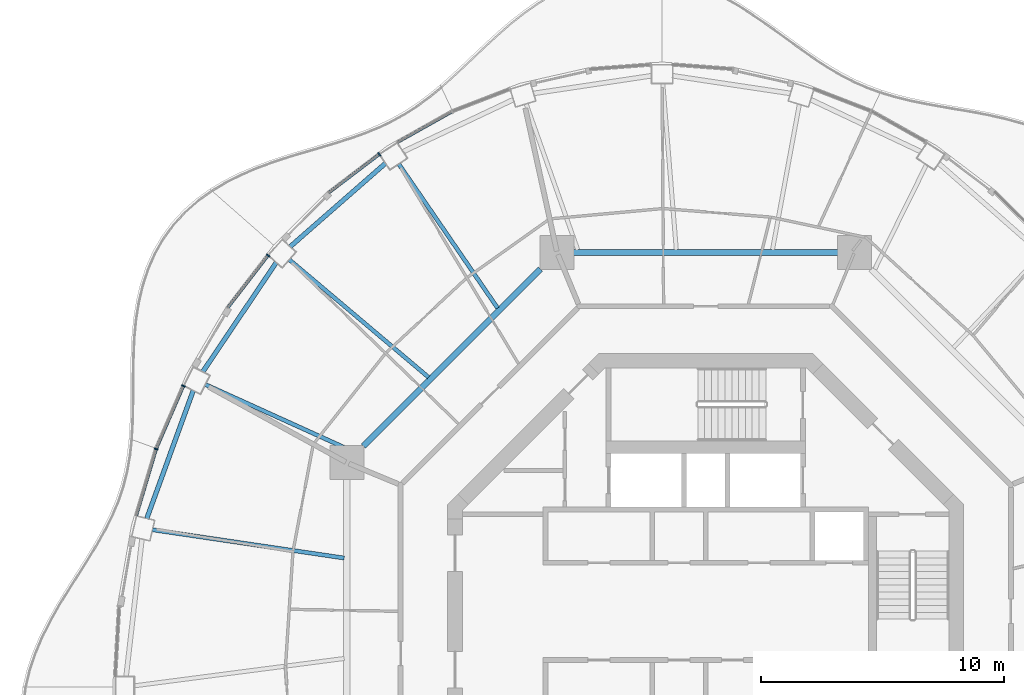
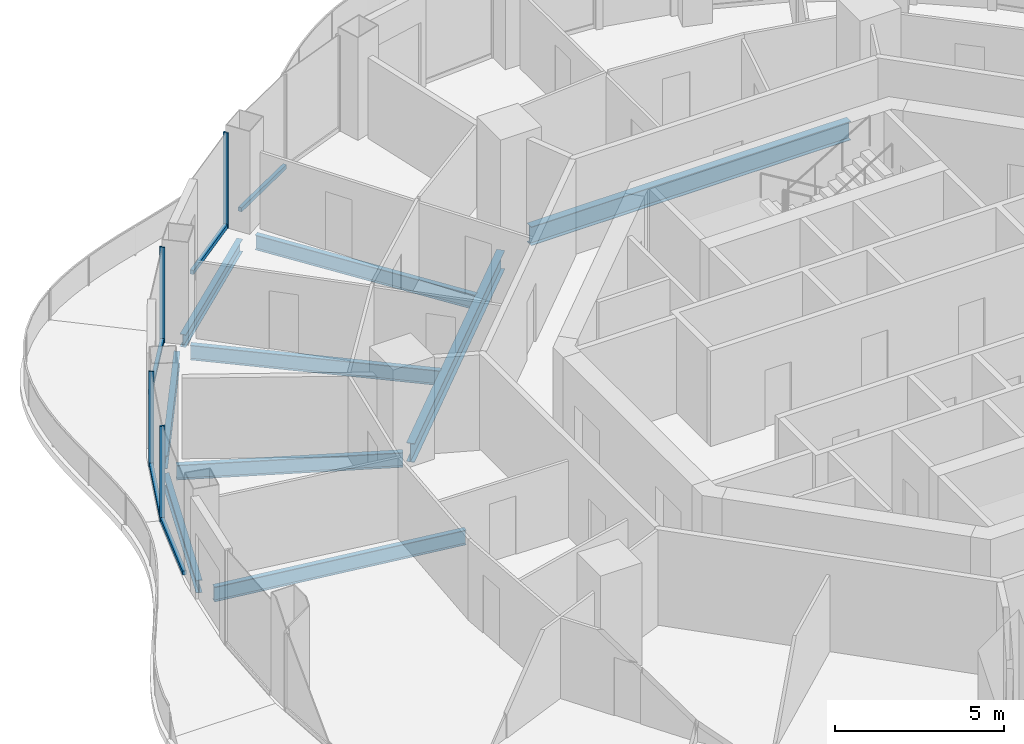
# One storey, part 5 of 17: 9 beams, 9 members, 5 elements without a shape of their own.
"""IFC4 building model written with IfcOpenShell, lengths in metres."""

from ifc_helpers import new_model, si_unit, direction, frame, origin, origin_2d, place, context, subcontext, project, spatial, rectangle, i_section, extrude, material, layer, layer_set, material_profile, profile_set, type_object, element, aggregate, save


model = new_model("IFC4")

# Units and contexts
model_context = context("Model", 3, precision=1e-05, world=origin(), true_north=direction((0.0, 1.0)))
body_context = subcontext(model_context, "Body", "Model", "MODEL_VIEW")
ifc_project = project(units=[si_unit("LENGTHUNIT", "METRE"), si_unit("AREAUNIT", "SQUARE_METRE"), si_unit("VOLUMEUNIT", "CUBIC_METRE"), si_unit("PLANEANGLEUNIT", "RADIAN"), si_unit("MASSUNIT", "GRAM", prefix="KILO")], contexts=[model_context])

# Site, building, storey
site_placement = place(None, origin())
site = spatial("IfcSite", under=ifc_project, at=site_placement, CompositionType="ELEMENT")
building_placement = place(site_placement, origin())
building = spatial("IfcBuilding", under=site, at=building_placement, Name="Nagisa Residences", CompositionType="ELEMENT")
storey_placement = place(building_placement, frame((0.0, 0.0, 277.0)))
storey = spatial("IfcBuildingStorey", under=building, at=storey_placement, Name="L70", CompositionType="ELEMENT", Elevation=277.0)

# Curtain wall, member
ifc_material_1 = material(Name="Concrete-coloured aluminium curtain wall system", Category="concrete")
ifc_layer = layer(ifc_material_1, 0.159912109375)
ifc_layer_set = layer_set([ifc_layer], Name="CW1 CURTAIN WALL")
curtain_wall_type = type_object("IfcCurtainWallType", Name="CW1 CURTAIN WALL", PredefinedType="NOTDEFINED", material=ifc_layer_set)
curtain_wall_1_placement = place(storey_placement, origin())
curtain_wall_1 = element("IfcCurtainWall", 1, at=curtain_wall_1_placement, inside=storey, type_object=curtain_wall_type, Name="cw:CW1:L70:16", PredefinedType="NOTDEFINED")
ifc_material_2 = material(Name="Concrete-coloured aluminium", Category="concrete")
ifc_material_profile_1 = material_profile(ifc_material_2, rectangle(XDim=0.159912109375, YDim=0.06005859375, at=origin_2d()), Name="CW1 MULLION 160x60")
ifc_profile_set_1 = profile_set([ifc_material_profile_1], Name="Concrete-coloured aluminium")
member_type_1 = type_object("IfcMemberType", Name="CW1 MULLION 160x60", PredefinedType="MULLION", material=ifc_profile_set_1)
member_1_placement = place(storey_placement, frame((-13.443603515625, 18.819580078125, 0.0), z_axis=(0.0, 0.0, 1.0), x_axis=(0.605255421737, -0.79603132756, 0.0)))
member_1 = element("IfcMember", 2, at=member_1_placement, type_object=member_type_1, Name="CW1 mullion", PredefinedType="MULLION", context=body_context, shape_type="SweptSolid", body=[
    extrude(rectangle(XDim=0.159912109375, YDim=0.06005859375, at=origin_2d()), origin(), (0.0, 0.0, 1.0), 3.43994140625),
])

curtain_wall_2_placement = place(storey_placement, origin())
curtain_wall_2 = element("IfcCurtainWall", 3, at=curtain_wall_2_placement, inside=storey, type_object=curtain_wall_type, Name="cw:CW1:L70:18", PredefinedType="NOTDEFINED")
member_2_placement = place(storey_placement, frame((-18.0244140625, 14.654296875, 0.0), z_axis=(0.0, 0.0, 1.0), x_axis=(0.792070340816, -0.610429828235, 0.0)))
member_2 = element("IfcMember", 4, at=member_2_placement, type_object=member_type_1, Name="CW1 mullion", PredefinedType="MULLION", context=body_context, shape_type="SweptSolid", body=[
    extrude(rectangle(XDim=0.159912109375, YDim=0.06005859375, at=origin_2d()), origin(), (0.0, 0.0, 1.0), 3.43994140625),
])

curtain_wall_3_placement = place(storey_placement, origin())
curtain_wall_3 = element("IfcCurtainWall", 5, at=curtain_wall_3_placement, inside=storey, type_object=curtain_wall_type, Name="cw:CW1:L70:20", PredefinedType="NOTDEFINED")
member_3_placement = place(storey_placement, frame((-21.5068359375, 9.280029296875, 0.0), z_axis=(0.0, 0.0, 1.0), x_axis=(0.917543276295, -0.397635934147, 0.0)))
member_3 = element("IfcMember", 6, at=member_3_placement, type_object=member_type_1, Name="CW1 mullion", PredefinedType="MULLION", context=body_context, shape_type="SweptSolid", body=[
    extrude(rectangle(XDim=0.159912109375, YDim=0.06005859375, at=origin_2d()), origin(), (0.0, 0.0, 1.0), 3.43994140625),
])

curtain_wall_4_placement = place(storey_placement, origin())
curtain_wall_4 = element("IfcCurtainWall", 7, at=curtain_wall_4_placement, inside=storey, type_object=curtain_wall_type, Name="cw:CW1:L70:21", PredefinedType="NOTDEFINED")
member_4_placement = place(storey_placement, frame((-22.630126953125, 6.680908203125, 0.0), z_axis=(0.0, 0.0, 1.0), x_axis=(0.958271310082, -0.285860274038, 0.0)))
member_4 = element("IfcMember", 8, at=member_4_placement, type_object=member_type_1, Name="CW1 mullion", PredefinedType="MULLION", context=body_context, shape_type="SweptSolid", body=[
    extrude(rectangle(XDim=0.159912109375, YDim=0.06005859375, at=origin_2d()), origin(), (0.0, 0.0, 1.0), 3.43994140625),
])

curtain_wall_5_placement = place(storey_placement, origin())
curtain_wall_5 = element("IfcCurtainWall", 9, at=curtain_wall_5_placement, inside=storey, type_object=curtain_wall_type, Name="cw:CW1:L70:15", PredefinedType="NOTDEFINED")
ifc_material_3 = material(Name="Concrete-coloured aluminium", Category="concrete")
ifc_material_profile_2 = material_profile(ifc_material_3, rectangle(XDim=0.1201171875, YDim=0.14990234375, at=origin_2d()), Name="CW1 TRANSOM 120x150")
ifc_profile_set_2 = profile_set([ifc_material_profile_2], Name="Concrete-coloured aluminium")
member_type_2 = type_object("IfcMemberType", Name="CW1 TRANSOM 120x150", PredefinedType="USERDEFINED", material=ifc_profile_set_2)
member_5_placement = place(storey_placement, frame((-10.417236328125, 20.59326171875, 0.074951171875), z_axis=(-0.872052877201, -0.489411666561, 0.0), x_axis=(0.489411666561, -0.872052877201, 0.0)))
member_5 = element("IfcMember", 10, at=member_5_placement, type_object=member_type_2, Name="CW1 transom", ObjectType="TRANSOM", PredefinedType="USERDEFINED", context=body_context, shape_type="SweptSolid", body=[
    extrude(rectangle(XDim=0.1201171875, YDim=0.14990234375, at=origin_2d()), origin(), (0.0, 0.0, 1.0), 2.593017578125),
])
aggregate(curtain_wall_5, [member_5])

# Member
member_6_placement = place(storey_placement, frame((-13.419677734375, 18.837646484375, 0.074951171875), z_axis=(-0.796055284084, -0.605223912847, 0.0), x_axis=(0.605223912847, -0.796055284084, 0.0)))
member_6 = element("IfcMember", 11, at=member_6_placement, type_object=member_type_2, Name="CW1 transom", ObjectType="TRANSOM", PredefinedType="USERDEFINED", context=body_context, shape_type="SweptSolid", body=[
    extrude(rectangle(XDim=0.1201171875, YDim=0.14990234375, at=origin_2d()), origin(), (0.0, 0.0, 1.0), 2.640625),
])

aggregate(curtain_wall_1, [member_1, member_6])

member_7_placement = place(storey_placement, frame((-18.006103515625, 14.677978515625, 0.074951171875), z_axis=(-0.610432336622, -0.792068407656, 0.0), x_axis=(0.792068407656, -0.610432336622, 0.0)))
member_7 = element("IfcMember", 12, at=member_7_placement, type_object=member_type_2, Name="CW1 transom", ObjectType="TRANSOM", PredefinedType="USERDEFINED", context=body_context, shape_type="SweptSolid", body=[
    extrude(rectangle(XDim=0.1201171875, YDim=0.14990234375, at=origin_2d()), origin(), (0.0, 0.0, 1.0), 2.74609375),
])

aggregate(curtain_wall_2, [member_2, member_7])

member_8_placement = place(storey_placement, frame((-21.4951171875, 9.3076171875, 0.074951171875), z_axis=(-0.397597791596, -0.9175598052, 0.0), x_axis=(0.9175598052, -0.397597791596, 0.0)))
member_8 = element("IfcMember", 13, at=member_8_placement, type_object=member_type_2, Name="CW1 transom", ObjectType="TRANSOM", PredefinedType="USERDEFINED", context=body_context, shape_type="SweptSolid", body=[
    extrude(rectangle(XDim=0.1201171875, YDim=0.14990234375, at=origin_2d()), origin(), (0.0, 0.0, 1.0), 2.841064453125),
])

aggregate(curtain_wall_3, [member_3, member_8])

member_9_placement = place(storey_placement, frame((-22.62158203125, 6.709716796875, 0.074951171875), z_axis=(-0.285798286059, -0.958289799427, 0.0), x_axis=(0.958289799427, -0.285798286059, 0.0)))
member_9 = element("IfcMember", 14, at=member_9_placement, type_object=member_type_2, Name="CW1 transom", ObjectType="TRANSOM", PredefinedType="USERDEFINED", context=body_context, shape_type="SweptSolid", body=[
    extrude(rectangle(XDim=0.1201171875, YDim=0.14990234375, at=origin_2d()), origin(), (0.0, 0.0, 1.0), 2.877197265625),
])

aggregate(curtain_wall_4, [member_4, member_9])

# Beams
ifc_material_4 = material(Name="Steel ASTM A572 Gr 50", Category="steel")
ifc_material_profile_3 = material_profile(ifc_material_4, i_section(OverallWidth=0.2529296875, OverallDepth=0.677978515625, WebThickness=0.01171875, FlangeThickness=0.016357421875, at=origin_2d()), Name="W690x125")
ifc_profile_set_3 = profile_set([ifc_material_profile_3], Name="Steel ASTM A572 Gr 50")
beam_type_1 = type_object("IfcBeamType", Name="Inner ring beam W690x125", PredefinedType="BEAM", material=ifc_profile_set_3)
beam_1_placement = place(storey_placement, frame((5.44287109375, 14.781982421875, -0.59912109375), z_axis=(-1.0, 0.0, 0.0), x_axis=(0.0, -1.0, 0.0)))
element("IfcBeam", 15, at=beam_1_placement, inside=storey, type_object=beam_type_1, Name="beam:L70:ib2", PredefinedType="BEAM", context=body_context, shape_type="SweptSolid", body=[
    extrude(i_section(OverallWidth=0.2529296875, OverallDepth=0.677978515625, WebThickness=0.01171875, FlangeThickness=0.016357421875, at=origin_2d()), origin(), (0.0, 0.0, 1.0), 10.8857421875),
])
beam_2_placement = place(storey_placement, frame((-6.808837890625, 14.09619140625, -0.59912109375), z_axis=(-0.707106781187, -0.707106781187, 0.0), x_axis=(0.707106781187, -0.707106781187, 0.0)))
element("IfcBeam", 16, at=beam_2_placement, inside=storey, type_object=beam_type_1, Name="beam:L70:ib3", PredefinedType="BEAM", context=body_context, shape_type="SweptSolid", body=[
    extrude(i_section(OverallWidth=0.2529296875, OverallDepth=0.677978515625, WebThickness=0.01171875, FlangeThickness=0.016357421875, at=origin_2d()), origin(), (0.0, 0.0, 1.0), 10.305908203125),
])
ifc_material_5 = material(Name="Steel ASTM A572 Gr 50", Category="steel")
ifc_material_profile_4 = material_profile(ifc_material_5, i_section(OverallWidth=0.18994140625, OverallDepth=0.45703125, WebThickness=0.009033203125, FlangeThickness=0.014404296875, at=origin_2d()), Name="W460x74")
ifc_profile_set_4 = profile_set([ifc_material_profile_4], Name="Steel ASTM A572 Gr 50")
beam_type_2 = type_object("IfcBeamType", Name="Perimeter ring beam W460x74", PredefinedType="BEAM", material=ifc_profile_set_4)
beam_3_placement = place(storey_placement, frame((-13.186767578125, 18.45458984375, -0.488525390625), z_axis=(-0.752365189148, -0.658746250204, 0.0), x_axis=(0.658746250204, -0.752365189148, 0.0)))
element("IfcBeam", 17, at=beam_3_placement, inside=storey, type_object=beam_type_2, Name="beam:L70:pb09", PredefinedType="BEAM", context=body_context, shape_type="SweptSolid", body=[
    extrude(i_section(OverallWidth=0.18994140625, OverallDepth=0.45703125, WebThickness=0.009033203125, FlangeThickness=0.014404296875, at=origin_2d()), origin(), (0.0, 0.0, 1.0), 5.220947265625),
])
beam_4_placement = place(storey_placement, frame((-17.683349609375, 14.36962890625, -0.488525390625), z_axis=(-0.558035477156, -0.829817092036, 0.0), x_axis=(0.829817092036, -0.558035477156, 0.0)))
element("IfcBeam", 18, at=beam_4_placement, inside=storey, type_object=beam_type_2, Name="beam:L70:pb10", PredefinedType="BEAM", context=body_context, shape_type="SweptSolid", body=[
    extrude(i_section(OverallWidth=0.18994140625, OverallDepth=0.45703125, WebThickness=0.009033203125, FlangeThickness=0.014404296875, at=origin_2d()), origin(), (0.0, 0.0, 1.0), 5.431884765625),
])
beam_5_placement = place(storey_placement, frame((-21.104248046875, 9.094970703125, -0.488525390625), z_axis=(-0.341250304478, -0.9399724622, 0.0), x_axis=(0.9399724622, -0.341250304478, 0.0)))
element("IfcBeam", 19, at=beam_5_placement, inside=storey, type_object=beam_type_2, Name="beam:L70:pb11", PredefinedType="BEAM", context=body_context, shape_type="SweptSolid", body=[
    extrude(i_section(OverallWidth=0.18994140625, OverallDepth=0.45703125, WebThickness=0.009033203125, FlangeThickness=0.014404296875, at=origin_2d()), origin(), (0.0, 0.0, 1.0), 5.609619140625),
])
ifc_material_6 = material(Name="Steel ASTM A572 Gr 50", Category="steel")
ifc_material_profile_5 = material_profile(ifc_material_6, i_section(OverallWidth=0.166015625, OverallDepth=0.534912109375, WebThickness=0.01025390625, FlangeThickness=0.0166015625, at=origin_2d()), Name="W530x85")
ifc_profile_set_5 = profile_set([ifc_material_profile_5], Name="Steel ASTM A572 Gr 50")
beam_type_3 = type_object("IfcBeamType", Name="Radial beam W530x85", PredefinedType="BEAM", material=ifc_profile_set_5)
beam_6_placement = place(storey_placement, frame((-12.64501953125, 18.427490234375, -0.527587890625), z_axis=(0.565802292405, -0.824540942531, 0.0), x_axis=(0.824540942531, 0.565802292405, 0.0)))
element("IfcBeam", 20, at=beam_6_placement, inside=storey, type_object=beam_type_3, Name="beam:L70:rb09", PredefinedType="BEAM", context=body_context, shape_type="SweptSolid", body=[
    extrude(i_section(OverallWidth=0.166015625, OverallDepth=0.534912109375, WebThickness=0.01025390625, FlangeThickness=0.0166015625, at=origin_2d()), origin(), (0.0, 0.0, 1.0), 7.204345703125),
])
beam_7_placement = place(storey_placement, frame((-17.15087890625, 14.484375, -0.527587890625), z_axis=(0.764006403763, -0.645208660054, 0.0), x_axis=(0.645208660054, 0.764006403763, 0.0)))
element("IfcBeam", 21, at=beam_7_placement, inside=storey, type_object=beam_type_3, Name="beam:L70:rb10", PredefinedType="BEAM", context=body_context, shape_type="SweptSolid", body=[
    extrude(i_section(OverallWidth=0.166015625, OverallDepth=0.534912109375, WebThickness=0.01025390625, FlangeThickness=0.0166015625, at=origin_2d()), origin(), (0.0, 0.0, 1.0), 7.50732421875),
])
beam_8_placement = place(storey_placement, frame((-20.610107421875, 9.34521484375, -0.527587890625), z_axis=(0.910751667619, -0.412954476824, 0.0), x_axis=(0.412954476824, 0.910751667619, 0.0)))
element("IfcBeam", 22, at=beam_8_placement, inside=storey, type_object=beam_type_3, Name="beam:L70:rb11", PredefinedType="BEAM", context=body_context, shape_type="SweptSolid", body=[
    extrude(i_section(OverallWidth=0.166015625, OverallDepth=0.534912109375, WebThickness=0.01025390625, FlangeThickness=0.0166015625, at=origin_2d()), origin(), (0.0, 0.0, 1.0), 6.721923828125),
])
beam_9_placement = place(storey_placement, frame((-22.788818359375, 3.359375, -0.527587890625), z_axis=(0.989309244243, -0.145832846968, 0.0), x_axis=(0.145832846968, 0.989309244243, 0.0)))
element("IfcBeam", 23, at=beam_9_placement, inside=storey, type_object=beam_type_3, Name="beam:L70:rb12", PredefinedType="BEAM", context=body_context, shape_type="SweptSolid", body=[
    extrude(i_section(OverallWidth=0.166015625, OverallDepth=0.534912109375, WebThickness=0.01025390625, FlangeThickness=0.0166015625, at=origin_2d()), origin(), (0.0, 0.0, 1.0), 7.985595703125),
])

save(model, "model.ifc")
